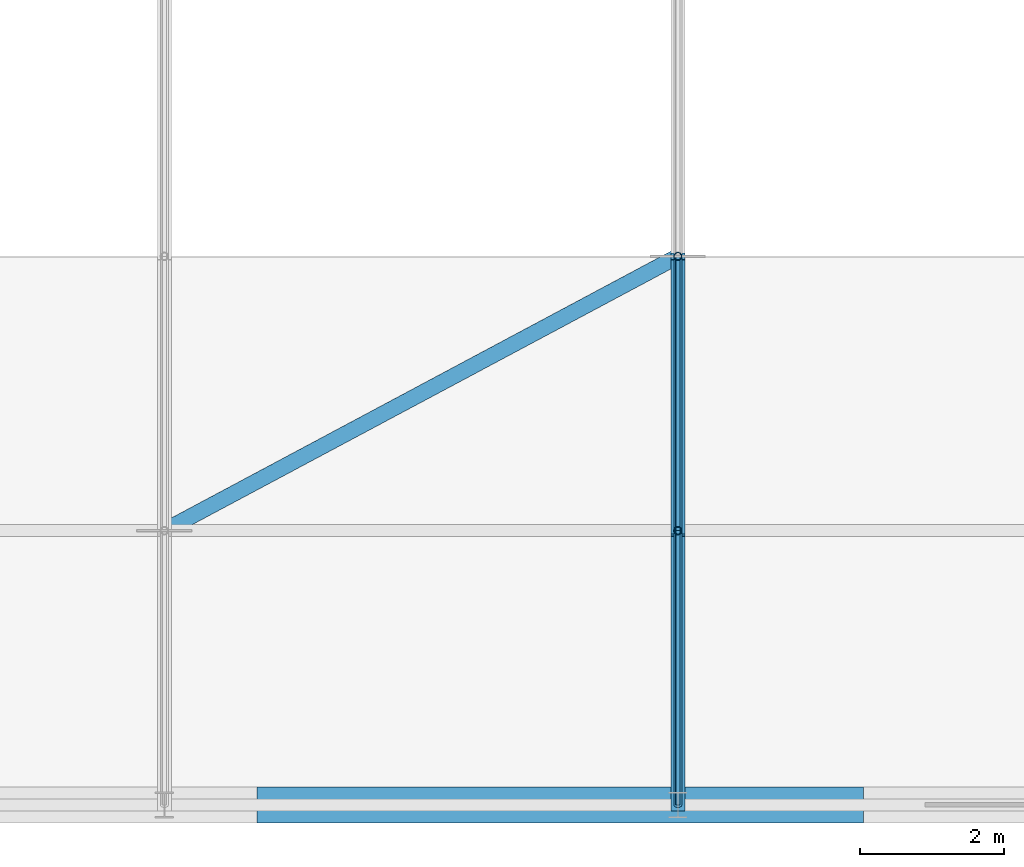
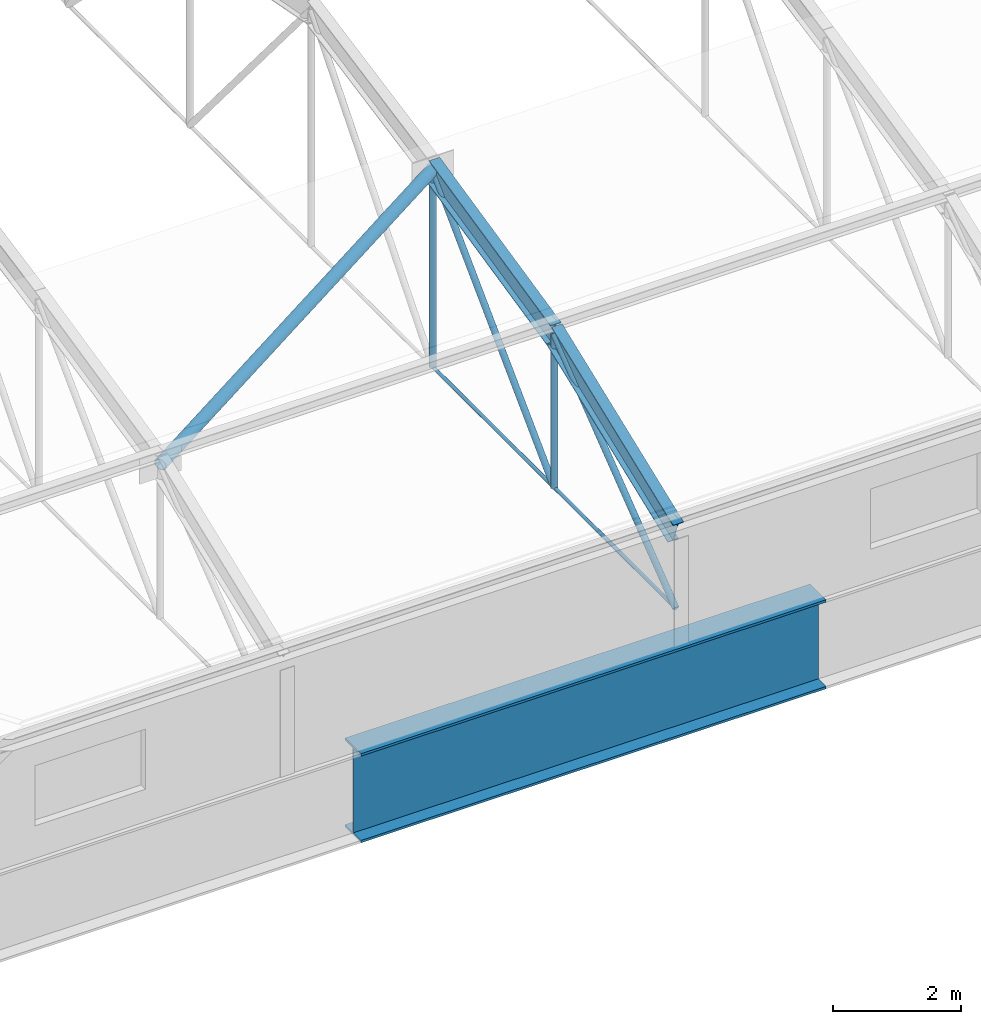
# One storey, part 7 of 53: 7 members, 3 beams.
"""IFC4 building model written with IfcOpenShell, lengths in metres."""

import ifcopenshell
import ifcopenshell.guid

model = None  # the IFC model being written
_history = None  # IfcOwnerHistory: only IFC2X3 demands one
_inside = {}  # id of a spatial element -> (the spatial element, [elements in it])
_under = {}  # id of a project, library or spatial element -> (it, [spatial elements below it])
_declared = {}  # id of a project -> (the project, [libraries it declares])
_typed = {}  # id of a type object -> (the type object, [elements of that type])
_made_of = {}  # id of a material, layer set ... -> (it, [elements and type objects made of it])


def new_model(schema):
    """Start an empty IFC model of exactly this schema.

    Asked for "IFC4X3", IfcOpenShell would pick the latest addendum, in which some entities
    have other attributes; the version numbers below select the first issue.
    IFC2X3 requires an IfcOwnerHistory on every rooted entity: one is made here for all.
    """
    global model, _history
    if schema == "IFC4X3":
        model = ifcopenshell.file(schema_version=(4, 3, 0, 0))
    else:
        model = ifcopenshell.file(schema=schema)
    _inside.clear()
    _under.clear()
    _declared.clear()
    _typed.clear()
    _made_of.clear()
    _history = None
    if model.schema == "IFC2X3":
        org = make("IfcOrganization", Name="unknown")
        user = make(
            "IfcPersonAndOrganization",
            ThePerson=make("IfcPerson", FamilyName="unknown"),
            TheOrganization=org,
        )
        app = make(
            "IfcApplication",
            ApplicationDeveloper=org,
            Version="unknown",
            ApplicationFullName="unknown",
            ApplicationIdentifier="unknown",
        )
        _history = make(
            "IfcOwnerHistory",
            OwningUser=user,
            OwningApplication=app,
            ChangeAction="ADDED",
            CreationDate=0,
        )
    return model


def make(cls, **values):
    """One entity of the class cls with the attributes given. An attribute that is None is left unset."""
    return model.create_entity(
        cls, **{name: value for name, value in values.items() if value is not None}
    )


def rooted(cls, **values):
    """An entity with a GlobalId (a new one), such as an element, a storey or a relation."""
    return make(cls, GlobalId=ifcopenshell.guid.new(), OwnerHistory=_history, **values)


def si_unit(unit_type, name, prefix=None):
    """IfcSIUnit, for example si_unit("LENGTHUNIT", "METRE", prefix="MILLI")."""
    return make("IfcSIUnit", UnitType=unit_type, Prefix=prefix, Name=name)


def assignment(units):
    """IfcUnitAssignment: the units of a project."""
    return None if units is None else make("IfcUnitAssignment", Units=units)


def point(xyz):
    """IfcCartesianPoint."""
    return None if xyz is None else make("IfcCartesianPoint", Coordinates=xyz)


def direction(xyz):
    """IfcDirection."""
    return None if xyz is None else make("IfcDirection", DirectionRatios=xyz)


def frame(location, z_axis=None, x_axis=None):
    """IfcAxis2Placement3D, a coordinate frame: its origin and axes. An axis left out is left unset."""
    return make(
        "IfcAxis2Placement3D",
        Location=point(location),
        Axis=direction(z_axis),
        RefDirection=direction(x_axis),
    )


def frame_2d(location, x_axis=None):
    """IfcAxis2Placement2D, a coordinate frame in the plane: its origin and x axis."""
    return make(
        "IfcAxis2Placement2D", Location=point(location), RefDirection=direction(x_axis)
    )


def origin_with_axes():
    """The frame at (0, 0, 0) with the z axis (0, 0, 1) and the x axis (1, 0, 0) written out."""
    return frame((0.0, 0.0, 0.0), z_axis=(0.0, 0.0, 1.0), x_axis=(1.0, 0.0, 0.0))


def origin_2d_with_axis():
    """The frame at (0, 0) in the plane with the x axis (1, 0) written out."""
    return frame_2d((0.0, 0.0), x_axis=(1.0, 0.0))


def place(relative_to, where):
    """IfcLocalPlacement: puts the frame where relative to a parent placement (None: the world)."""
    return make(
        "IfcLocalPlacement", PlacementRelTo=relative_to, RelativePlacement=where
    )


def context(
    kind, dimensions, precision=None, world=None, true_north=None, identifier=None
):
    """IfcGeometricRepresentationContext, for example the 3D "Model" context."""
    return make(
        "IfcGeometricRepresentationContext",
        ContextIdentifier=identifier,
        ContextType=kind,
        CoordinateSpaceDimension=dimensions,
        Precision=precision,
        WorldCoordinateSystem=world,
        TrueNorth=true_north,
    )


def subcontext(parent, identifier, kind, view, scale=None):
    """IfcGeometricRepresentationSubContext, for example "Body" below "Model"."""
    return make(
        "IfcGeometricRepresentationSubContext",
        ContextIdentifier=identifier,
        ContextType=kind,
        ParentContext=parent,
        TargetScale=scale,
        TargetView=view,
    )


def project(units=None, contexts=None):
    """IfcProject with its units and contexts."""
    return rooted(
        "IfcProject",
        Name="project",
        RepresentationContexts=contexts,
        UnitsInContext=assignment(units),
    )


def spatial(cls, under=None, at=None, **own):
    """A site, building, storey or space (cls), placed at a placement, below another one or the project."""
    s = rooted(cls, ObjectPlacement=at, **own)
    if under is not None:
        _under.setdefault(under.id(), (under, []))[1].append(s)
    return s


def profile(cls, at=None, kind="AREA", **sizes):
    """A parametric profile (cls). Its sizes go by their IFC names, for example OverallWidth=200.0."""
    return make(cls, ProfileType=kind, Position=at, **sizes)


def circle(**sizes):
    """IfcCircleProfileDef."""
    return profile("IfcCircleProfileDef", **sizes)


def hollow_circle(**sizes):
    """IfcCircleHollowProfileDef."""
    return profile("IfcCircleHollowProfileDef", **sizes)


def i_section(**sizes):
    """IfcIShapeProfileDef."""
    return profile("IfcIShapeProfileDef", **sizes)


def extrude(swept, where, along, depth):
    """IfcExtrudedAreaSolid: the profile swept, set in the frame where, extruded along a direction by depth."""
    return make(
        "IfcExtrudedAreaSolid",
        SweptArea=swept,
        Position=where,
        ExtrudedDirection=direction(along),
        Depth=depth,
    )


def shape(context_of_items, identifier, shape_type, items):
    """IfcShapeRepresentation: the items that make up one representation, for example the "Body"."""
    return make(
        "IfcShapeRepresentation",
        ContextOfItems=context_of_items,
        RepresentationIdentifier=identifier,
        RepresentationType=shape_type,
        Items=items,
    )


def material(Name=None, Category=None):
    """IfcMaterial."""
    return make("IfcMaterial", Name=Name, Category=Category)


def material_profile(
    of_material, cross_section, Name=None, Category=None, Priority=None
):
    """IfcMaterialProfile: a cross section and its material."""
    return make(
        "IfcMaterialProfile",
        Name=Name,
        Material=of_material,
        Profile=cross_section,
        Priority=Priority,
        Category=Category,
    )


def profile_set(profiles, Name=None, composite=None):
    """IfcMaterialProfileSet."""
    return make(
        "IfcMaterialProfileSet",
        Name=Name,
        MaterialProfiles=profiles,
        CompositeProfile=composite,
    )


def made_of(thing, what):
    """Note that an element or type object is made of a material, layer set ...; save() writes the relation."""
    if what is not None:
        _made_of.setdefault(what.id(), (what, []))[1].append(thing)
    return thing


def type_object(cls, material=None, **own):
    """A type object (cls), such as IfcWallType, which elements share."""
    return made_of(rooted(cls, **own), material)


def element(
    cls,
    number,
    at=None,
    inside=None,
    cuts=None,
    type_object=None,
    material=None,
    context=None,
    identifier="Body",
    shape_type=None,
    held_by="IfcProductDefinitionShape",
    body=None,
    shapes=None,
    **own,
):
    """One element of the class cls, such as IfcWall. Its Tag is "e" and its number.

    at: its placement. inside: the storey or other place that contains it. cuts: it is an
    opening in that element (IfcRelVoidsElement). A single representation is given by context,
    identifier, shape_type and body (its items); several are given by shapes. held_by: the class
    of the entity that holds the representations. save() writes the other relations.
    """
    e = rooted(cls, Tag="e%d" % number, ObjectPlacement=at, **own)
    if body is not None:
        shapes = [shape(context, identifier, shape_type, body)]
    if shapes is not None:
        e.Representation = make(held_by, Representations=shapes)
    if inside is not None:
        _inside.setdefault(inside.id(), (inside, []))[1].append(e)
    if cuts is not None:
        rooted(
            "IfcRelVoidsElement", RelatingBuildingElement=cuts, RelatedOpeningElement=e
        )
    if type_object is not None:
        _typed.setdefault(type_object.id(), (type_object, []))[1].append(e)
    return made_of(e, material)


def aggregate(whole, parts):
    """IfcRelAggregates: a whole, such as a stair, and the parts it consists of."""
    return rooted("IfcRelAggregates", RelatingObject=whole, RelatedObjects=parts)


def save(model, path):
    """Write the relations noted so far, then the file.

    IfcRelAggregates (storeys below a building ...), IfcRelContainedInSpatialStructure (elements
    in a storey), IfcRelDefinesByType, IfcRelAssociatesMaterial and IfcRelDeclares: one each for
    every whole, place, type object, material and project.
    """
    for whole, parts in _under.values():
        aggregate(whole, parts)
    for where, things in _inside.values():
        rooted(
            "IfcRelContainedInSpatialStructure",
            RelatedElements=things,
            RelatingStructure=where,
        )
    for kind, things in _typed.values():
        rooted("IfcRelDefinesByType", RelatedObjects=things, RelatingType=kind)
    for what, things in _made_of.values():
        rooted("IfcRelAssociatesMaterial", RelatedObjects=things, RelatingMaterial=what)
    for by, libraries in _declared.values():
        rooted("IfcRelDeclares", RelatingContext=by, RelatedDefinitions=libraries)
    model.write(path)


model = new_model("IFC4")

# Units and contexts
model_context = context("Model", 3, precision=1e-05, world=origin_with_axes(), true_north=direction((0.0, 1.0)))
body_context = subcontext(model_context, "Body", "Model", "MODEL_VIEW")
ifc_project = project(units=[si_unit("LENGTHUNIT", "METRE"), si_unit("AREAUNIT", "SQUARE_METRE"), si_unit("VOLUMEUNIT", "CUBIC_METRE"), si_unit("PLANEANGLEUNIT", "RADIAN"), si_unit("MASSUNIT", "GRAM", prefix="KILO"), si_unit("THERMODYNAMICTEMPERATUREUNIT", "KELVIN")], contexts=[model_context])

# Site, building, storey
site_placement = place(None, origin_with_axes())
site = spatial("IfcSite", under=ifc_project, at=site_placement, CompositionType="ELEMENT")
building_placement = place(site_placement, origin_with_axes())
building = spatial("IfcBuilding", under=site, at=building_placement, Name="Montbau Bow Law Courts", CompositionType="ELEMENT")
storey_placement = place(building_placement, frame((0.0, 0.0, 39.0), z_axis=(0.0, 0.0, 1.0), x_axis=(1.0, 0.0, 0.0)))
storey = spatial("IfcBuildingStorey", under=building, at=storey_placement, Name="L08", CompositionType="ELEMENT", Elevation=39.0)

# Beams
ifc_material = material(Name="Steel CSA G40.21 Grade 350WT (350 MPa)", Category="steel")
ifc_material_profile_1 = material_profile(ifc_material, i_section(OverallWidth=0.191, OverallDepth=0.46, WebThickness=0.0099, FlangeThickness=0.016, at=origin_2d_with_axis()), Name="W460X82", Category="Main", Priority=0)
ifc_profile_set_1 = profile_set([ifc_material_profile_1], Name="Steel CSA G40.21 Grade 350WT (350 MPa)")
beam_type_1 = type_object("IfcBeamType", Name="B-ARC-02", PredefinedType="USERDEFINED", material=ifc_profile_set_1)
beam_1_placement = place(None, frame((69.429, 39.0, 40.7), z_axis=(0.0, 0.931986259, 0.362493603), x_axis=(-1.0, 0.0, 0.0)))
element("IfcBeam", 1, at=beam_1_placement, inside=storey, type_object=beam_type_1, Name="Barrel vault roof truss arch rib V3-109", ObjectType="ARCH_RIB", PredefinedType="USERDEFINED", context=body_context, shape_type="SweptSolid", body=[
    extrude(i_section(OverallWidth=0.191, OverallDepth=0.46, WebThickness=0.0099, FlangeThickness=0.016, at=origin_2d_with_axis()), origin_with_axes(), (0.0, 0.0, 1.0), 4.077313),
])
beam_2_placement = place(None, frame((69.429, 42.8, 42.178), z_axis=(0.0, 0.97610237, 0.217311212), x_axis=(-1.0, 0.0, 0.0)))
element("IfcBeam", 2, at=beam_2_placement, inside=storey, type_object=beam_type_1, Name="Barrel vault roof truss arch rib V3-110", ObjectType="ARCH_RIB", PredefinedType="USERDEFINED", context=body_context, shape_type="SweptSolid", body=[
    extrude(i_section(OverallWidth=0.191, OverallDepth=0.46, WebThickness=0.0099, FlangeThickness=0.016, at=origin_2d_with_axis()), origin_with_axes(), (0.0, 0.0, 1.0), 3.893034),
])
ifc_material_profile_2 = material_profile(ifc_material, i_section(OverallWidth=0.5, OverallDepth=1.7, WebThickness=0.02, FlangeThickness=0.045, at=origin_2d_with_axis()), Name="WWF1700X480", Category="Main", Priority=0)
ifc_profile_set_2 = profile_set([ifc_material_profile_2], Name="Steel CSA G40.21 Grade 350WT (350 MPa)")
beam_type_2 = type_object("IfcBeamType", Name="B-TRG-02", PredefinedType="USERDEFINED", material=ifc_profile_set_2)
beam_3_placement = place(None, frame((63.6, 39.0, 37.81), z_axis=(1.0, 0.0, 0.0), x_axis=(0.0, 1.0, 0.0)))
element("IfcBeam", 3, at=beam_3_placement, inside=storey, type_object=beam_type_2, Name="VRG-L08-S0020:bm2_0023", ObjectType="GIRDER", PredefinedType="USERDEFINED", context=body_context, shape_type="SweptSolid", body=[
    extrude(i_section(OverallWidth=0.5, OverallDepth=1.7, WebThickness=0.02, FlangeThickness=0.045, at=origin_2d_with_axis()), origin_with_axes(), (0.0, 0.0, 1.0), 8.4),
])

# Members
ifc_material_profile_3 = material_profile(ifc_material, hollow_circle(Radius=0.1095, WallThickness=0.0111, at=origin_2d_with_axis()), Name="HSS219X11", Category="Main", Priority=0)
ifc_profile_set_3 = profile_set([ifc_material_profile_3], Name="Steel CSA G40.21 Grade 350WT (350 MPa)")
member_type_1 = type_object("IfcMemberType", Name="M-BRC-04", PredefinedType="BRACE", material=ifc_profile_set_3)
member_1_placement = place(None, frame((62.314, 42.8, 42.178), z_axis=(0.877266339, 0.468532971, 0.104310235), x_axis=(-0.471102928, 0.882078246, 0.0)))
element("IfcMember", 4, at=member_1_placement, inside=storey, type_object=member_type_1, Name="Diagonal brace VBR-V3-089", PredefinedType="BRACE", context=body_context, shape_type="SweptSolid", body=[
    extrude(hollow_circle(Radius=0.1095, WallThickness=0.0111, at=origin_2d_with_axis()), origin_with_axes(), (0.0, 0.0, 1.0), 8.110422),
])
ifc_material_profile_4 = material_profile(ifc_material, hollow_circle(Radius=0.057, WallThickness=0.008, at=origin_2d_with_axis()), Name="HSS114X8.0", Category="Main", Priority=0)
ifc_profile_set_4 = profile_set([ifc_material_profile_4], Name="Steel CSA G40.21 Grade 350WT (350 MPa)")
member_type_2 = type_object("IfcMemberType", Name="M-STR-03", PredefinedType="STRUT", material=ifc_profile_set_4)
member_2_placement = place(None, frame((69.429, 39.0, 39.25), z_axis=(0.0, 0.792127775, 0.610355296), x_axis=(-1.0, 0.0, 0.0)))
element("IfcMember", 5, at=member_2_placement, inside=storey, type_object=member_type_2, Name="Barrel vault roof truss web diagonal V3-03-1", PredefinedType="STRUT", context=body_context, shape_type="SweptSolid", body=[
    extrude(hollow_circle(Radius=0.057, WallThickness=0.008, at=origin_2d_with_axis()), origin_with_axes(), (0.0, 0.0, 1.0), 4.797206),
])
member_3_placement = place(None, frame((69.429, 42.8, 39.25), z_axis=(0.0, 0.709529954, 0.704675276), x_axis=(-1.0, 0.0, 0.0)))
element("IfcMember", 6, at=member_3_placement, inside=storey, type_object=member_type_2, Name="Barrel vault roof truss web diagonal V3-03-2", PredefinedType="STRUT", context=body_context, shape_type="SweptSolid", body=[
    extrude(hollow_circle(Radius=0.057, WallThickness=0.008, at=origin_2d_with_axis()), origin_with_axes(), (0.0, 0.0, 1.0), 5.355658),
])
member_4_placement = place(None, frame((69.429, 42.8, 39.25), z_axis=(0.0, 0.0, 1.0), x_axis=(1.0, 0.0, 0.0)))
element("IfcMember", 7, at=member_4_placement, inside=storey, type_object=member_type_2, Name="Barrel vault roof truss web post V3-03-1", PredefinedType="STRUT", context=body_context, shape_type="SweptSolid", body=[
    extrude(hollow_circle(Radius=0.057, WallThickness=0.008, at=origin_2d_with_axis()), origin_with_axes(), (0.0, 0.0, 1.0), 2.928),
])
member_5_placement = place(None, frame((69.429, 46.6, 39.25), z_axis=(0.0, 0.0, 1.0), x_axis=(1.0, 0.0, 0.0)))
element("IfcMember", 8, at=member_5_placement, inside=storey, type_object=member_type_2, Name="Barrel vault roof truss web post V3-03-2", PredefinedType="STRUT", context=body_context, shape_type="SweptSolid", body=[
    extrude(hollow_circle(Radius=0.057, WallThickness=0.008, at=origin_2d_with_axis()), origin_with_axes(), (0.0, 0.0, 1.0), 3.774),
])
ifc_material_profile_5 = material_profile(ifc_material, circle(Radius=0.032, at=origin_2d_with_axis()), Name="ROD64", Category="Main", Priority=0)
ifc_profile_set_5 = profile_set([ifc_material_profile_5], Name="Steel CSA G40.21 Grade 350WT (350 MPa)")
member_type_3 = type_object("IfcMemberType", Name="M-TIE-02", PredefinedType="USERDEFINED", material=ifc_profile_set_5)
for number, where, z_axis, x_axis, name in (
    (9, (69.429, 39.0, 39.25), (0.0, 1.0, 0.0), (-1.0, 0.0, 0.0), "Barrel vault roof truss tie V3-109"),
    (10, (69.429, 42.8, 39.25), (0.0, 1.0, 0.0), (-1.0, 0.0, 0.0), "Barrel vault roof truss tie V3-110"),
):
    element("IfcMember", number, at=place(None, frame(where, z_axis=z_axis, x_axis=x_axis)), inside=storey, type_object=member_type_3, Name=name, ObjectType="TIEBAR", PredefinedType="USERDEFINED", context=body_context, shape_type="SweptSolid", body=[
        extrude(circle(Radius=0.032, at=origin_2d_with_axis()), origin_with_axes(), (0.0, 0.0, 1.0), 3.8),
    ])

save(model, "model.ifc")
